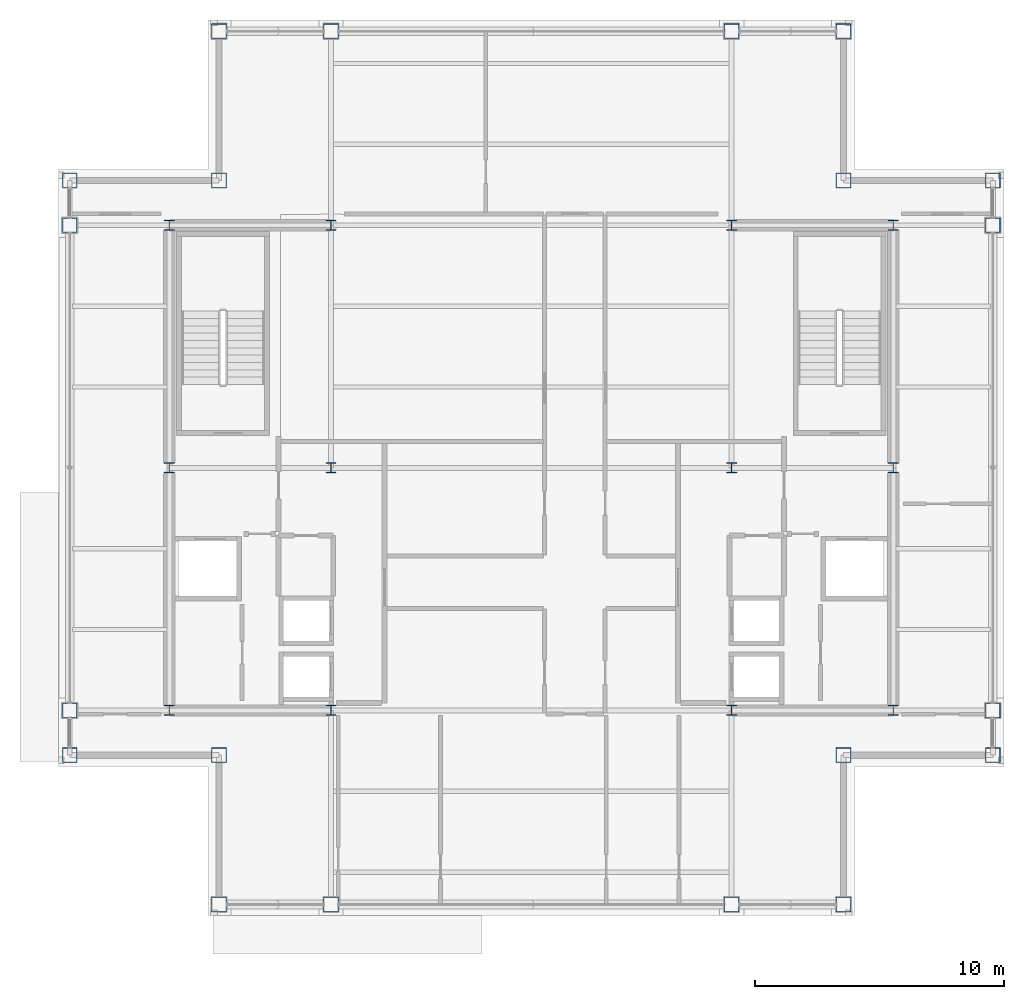
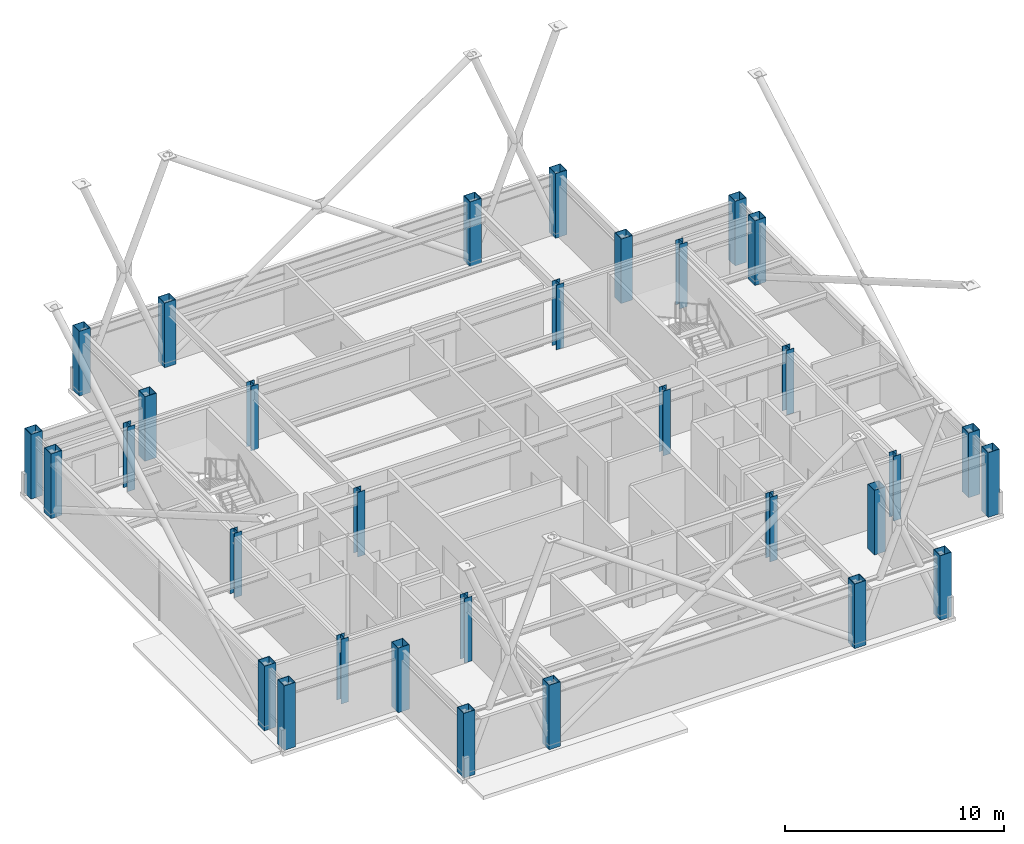
# One storey, part 1 of 24: 32 columns.
"""IFC4 building model written with IfcOpenShell, lengths in metres."""

from ifc_helpers import new_model, si_unit, direction, frame, origin, origin_2d, place, context, subcontext, project, spatial, hollow_rectangle, i_section, extrude, material, material_profile, profile_set, type_object, element, save


model = new_model("IFC4")

# Units and contexts
model_context = context("Model", 3, precision=1e-05, world=origin(), true_north=direction((0.0, 1.0)))
body_context = subcontext(model_context, "Body", "Model", "MODEL_VIEW")
ifc_project = project(units=[si_unit("LENGTHUNIT", "METRE"), si_unit("AREAUNIT", "SQUARE_METRE"), si_unit("VOLUMEUNIT", "CUBIC_METRE"), si_unit("PLANEANGLEUNIT", "RADIAN"), si_unit("MASSUNIT", "GRAM", prefix="KILO")], contexts=[model_context])

# Site, building, storey
site_placement = place(None, origin())
site = spatial("IfcSite", under=ifc_project, at=site_placement, CompositionType="ELEMENT")
building_placement = place(site_placement, origin())
building = spatial("IfcBuilding", under=site, at=building_placement, Name="Brelmoor Portico Tower", CompositionType="ELEMENT")
storey_placement = place(building_placement, frame((0.0, 0.0, 268.800048828125)))
storey = spatial("IfcBuildingStorey", under=building, at=storey_placement, Name="L71", CompositionType="ELEMENT", Elevation=268.800048828125)

# Columns
ifc_material = material(Name="Steel Q355B", Category="steel")
ifc_material_profile_1 = material_profile(ifc_material, hollow_rectangle(XDim=0.60009765625, YDim=0.60009765625, WallThickness=0.02490234375, at=origin_2d()), Name="BOX 600x600x25")
ifc_profile_set_1 = profile_set([ifc_material_profile_1], Name="Steel Q355B")
column_type_1 = type_object("IfcColumnType", Name="COL-MEGA-600", PredefinedType="COLUMN", material=ifc_profile_set_1)
for number, where, z_axis, x_axis, name in (
    (1, (-12.550048828125, -17.550048828125, 0.0), (0.0, 0.0, 1.0), (1.0, 0.0, 0.0), "L71 Perimeter Mega-Column PS01"),
    (2, (-8.050048828125, -17.550048828125, 0.0), (0.0, 0.0, 1.0), (1.0, 0.0, 0.0), "L71 Perimeter Mega-Column PS02"),
    (3, (8.050048828125, -17.550048828125, 0.0), (0.0, 0.0, 1.0), (1.0, 0.0, 0.0), "L71 Perimeter Mega-Column PS03"),
    (4, (12.550048828125, -17.550048828125, 0.0), (0.0, 0.0, 1.0), (1.0, 0.0, 0.0), "L71 Perimeter Mega-Column PS04"),
    (5, (-12.550048828125, 17.550048828125, 0.0), (0.0, 0.0, 1.0), (1.0, 0.0, 0.0), "L71 Perimeter Mega-Column PN01"),
    (6, (-8.050048828125, 17.550048828125, 0.0), (0.0, 0.0, 1.0), (1.0, 0.0, 0.0), "L71 Perimeter Mega-Column PN02"),
    (7, (8.050048828125, 17.550048828125, 0.0), (0.0, 0.0, 1.0), (1.0, 0.0, 0.0), "L71 Perimeter Mega-Column PN03"),
    (8, (12.550048828125, 17.550048828125, 0.0), (0.0, 0.0, 1.0), (1.0, 0.0, 0.0), "L71 Perimeter Mega-Column PN04"),
    (9, (-18.550048828125, -11.550048828125, 0.0), (0.0, 0.0, 1.0), (0.0, 1.0, 0.0), "L71 Perimeter Mega-Column PW01"),
    (10, (-18.550048828125, -9.75, 0.0), (0.0, 0.0, 1.0), (0.0, 1.0, 0.0), "L71 Perimeter Mega-Column PW02"),
    (11, (-18.550048828125, 9.75, 0.0), (0.0, 0.0, 1.0), (0.0, 1.0, 0.0), "L71 Perimeter Mega-Column PW03"),
    (12, (-18.550048828125, 11.550048828125, 0.0), (0.0, 0.0, 1.0), (0.0, 1.0, 0.0), "L71 Perimeter Mega-Column PW04"),
    (13, (18.550048828125, -11.550048828125, 0.0), (0.0, 0.0, 1.0), (0.0, 1.0, 0.0), "L71 Perimeter Mega-Column PE01"),
    (14, (18.550048828125, -9.75, 0.0), (0.0, 0.0, 1.0), (0.0, 1.0, 0.0), "L71 Perimeter Mega-Column PE02"),
    (15, (18.550048828125, 9.75, 0.0), (0.0, 0.0, 1.0), (0.0, 1.0, 0.0), "L71 Perimeter Mega-Column PE03"),
    (16, (18.550048828125, 11.550048828125, 0.0), (0.0, 0.0, 1.0), (0.0, 1.0, 0.0), "L71 Perimeter Mega-Column PE04"),
    (17, (-12.550048828125, 11.550048828125, 0.0), (0.0, 0.0, 1.0), (1.0, 0.0, 0.0), "L71 Perimeter Mega-Column PC-NW"),
    (18, (12.550048828125, 11.550048828125, 0.0), (0.0, 0.0, 1.0), (1.0, 0.0, 0.0), "L71 Perimeter Mega-Column PC-NE"),
    (19, (12.550048828125, -11.550048828125, 0.0), (0.0, 0.0, 1.0), (1.0, 0.0, 0.0), "L71 Perimeter Mega-Column PC-SE"),
    (20, (-12.550048828125, -11.550048828125, 0.0), (0.0, 0.0, 1.0), (1.0, 0.0, 0.0), "L71 Perimeter Mega-Column PC-SW"),
):
    element("IfcColumn", number, at=place(storey_placement, frame(where, z_axis=z_axis, x_axis=x_axis)), inside=storey, type_object=column_type_1, Name=name, PredefinedType="COLUMN", context=body_context, shape_type="SweptSolid", body=[
        extrude(hollow_rectangle(XDim=0.60009765625, YDim=0.60009765625, WallThickness=0.02490234375, at=origin_2d()), origin(), (0.0, 0.0, 1.0), 3.599853515625),
    ])
ifc_material_profile_2 = material_profile(ifc_material, i_section(OverallWidth=0.39990234375, OverallDepth=0.39990234375, WebThickness=0.012939453125, FlangeThickness=0.02099609375, at=origin_2d()), Name="HW 400x400x13x21")
ifc_profile_set_2 = profile_set([ifc_material_profile_2], Name="Steel Q355B")
column_type_2 = type_object("IfcColumnType", Name="COL-SPINE-400", PredefinedType="COLUMN", material=ifc_profile_set_2)
for number, where, z_axis, x_axis, name in (
    (21, (-14.550048828125, -9.75, 0.0), (0.0, 0.0, 1.0), (1.0, 0.0, 0.0), "L71 Core Spine Column CW-SW"),
    (22, (-14.550048828125, 0.0, 0.0), (0.0, 0.0, 1.0), (1.0, 0.0, 0.0), "L71 Core Spine Column CW-MW"),
    (23, (-14.550048828125, 9.75, 0.0), (0.0, 0.0, 1.0), (1.0, 0.0, 0.0), "L71 Core Spine Column CW-NW"),
    (24, (-8.050048828125, -9.75, 0.0), (0.0, 0.0, 1.0), (1.0, 0.0, 0.0), "L71 Core Spine Column CW-SE"),
    (25, (-8.050048828125, 0.0, 0.0), (0.0, 0.0, 1.0), (1.0, 0.0, 0.0), "L71 Core Spine Column CW-ME"),
    (26, (-8.050048828125, 9.75, 0.0), (0.0, 0.0, 1.0), (1.0, 0.0, 0.0), "L71 Core Spine Column CW-NE"),
    (27, (8.050048828125, -9.75, 0.0), (0.0, 0.0, 1.0), (1.0, 0.0, 0.0), "L71 Core Spine Column CE-SW"),
    (28, (8.050048828125, 0.0, 0.0), (0.0, 0.0, 1.0), (1.0, 0.0, 0.0), "L71 Core Spine Column CE-MW"),
    (29, (8.050048828125, 9.75, 0.0), (0.0, 0.0, 1.0), (1.0, 0.0, 0.0), "L71 Core Spine Column CE-NW"),
    (30, (14.550048828125, -9.75, 0.0), (0.0, 0.0, 1.0), (1.0, 0.0, 0.0), "L71 Core Spine Column CE-SE"),
    (31, (14.550048828125, 0.0, 0.0), (0.0, 0.0, 1.0), (1.0, 0.0, 0.0), "L71 Core Spine Column CE-ME"),
    (32, (14.550048828125, 9.75, 0.0), (0.0, 0.0, 1.0), (1.0, 0.0, 0.0), "L71 Core Spine Column CE-NE"),
):
    element("IfcColumn", number, at=place(storey_placement, frame(where, z_axis=z_axis, x_axis=x_axis)), inside=storey, type_object=column_type_2, Name=name, PredefinedType="COLUMN", context=body_context, shape_type="SweptSolid", body=[
        extrude(i_section(OverallWidth=0.39990234375, OverallDepth=0.39990234375, WebThickness=0.012939453125, FlangeThickness=0.02099609375, at=origin_2d()), origin(), (0.0, 0.0, 1.0), 3.599853515625),
    ])

save(model, "model.ifc")
